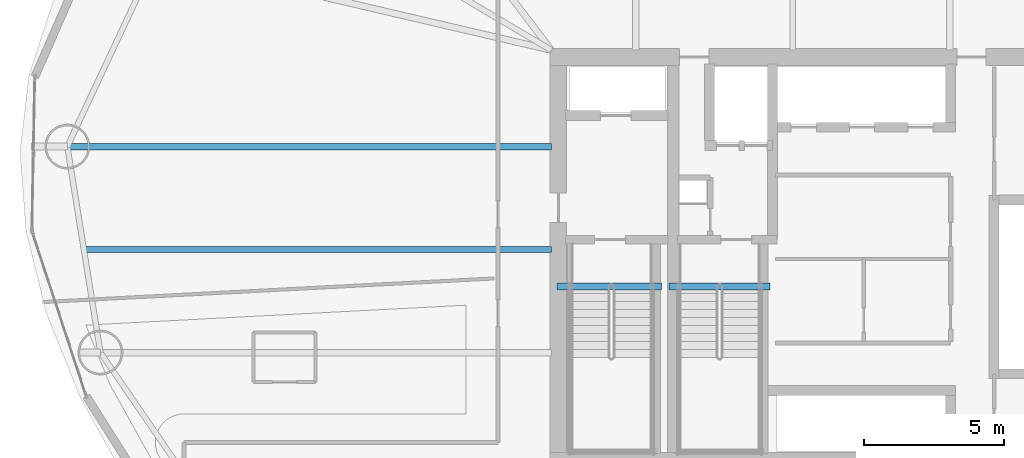
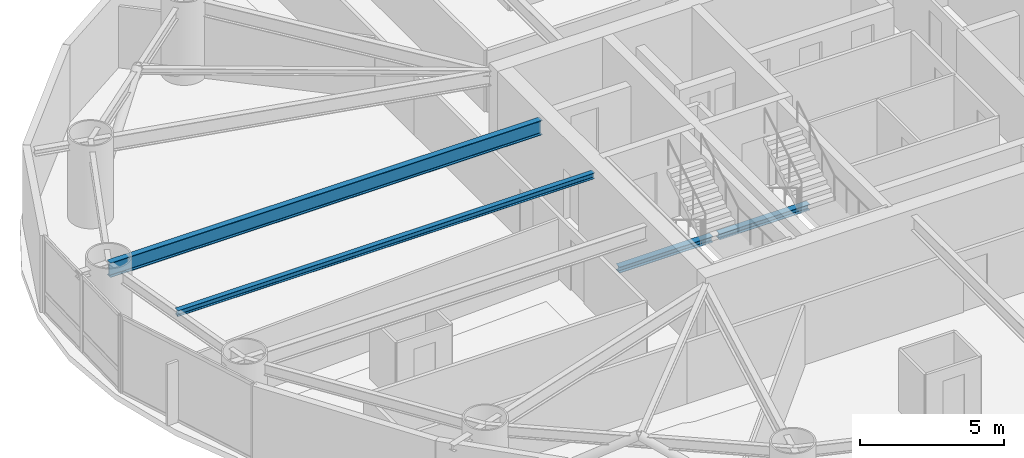
# One storey, part 7 of 24: 4 beams.
"""IFC4 building model written with IfcOpenShell, lengths in metres."""

from ifc_helpers import new_model, si_unit, direction, frame, origin, origin_2d, place, context, subcontext, project, spatial, i_section, extrude, material, material_profile, profile_set, type_object, element, save


model = new_model("IFC4")

# Units and contexts
model_context = context("Model", 3, precision=1e-05, world=origin(), true_north=direction((0.0, 1.0)))
body_context = subcontext(model_context, "Body", "Model", "MODEL_VIEW")
ifc_project = project(units=[si_unit("LENGTHUNIT", "METRE"), si_unit("AREAUNIT", "SQUARE_METRE"), si_unit("VOLUMEUNIT", "CUBIC_METRE"), si_unit("PLANEANGLEUNIT", "RADIAN"), si_unit("MASSUNIT", "GRAM", prefix="KILO")], contexts=[model_context])

# Site, building, storey
site_placement = place(None, origin())
site = spatial("IfcSite", under=ifc_project, at=site_placement, CompositionType="ELEMENT")
building_placement = place(site_placement, origin())
building = spatial("IfcBuilding", under=site, at=building_placement, Name="Bramvorn Convention Spire", CompositionType="ELEMENT")
storey_placement = place(building_placement, frame((0.0, 0.0, 83.39990234375)))
storey = spatial("IfcBuildingStorey", under=building, at=storey_placement, Name="L19", CompositionType="ELEMENT", Elevation=83.39990234375)

# Beams
ifc_material = material(Name="Steel CSA G40.21 Grade 350 (350W)", Category="steel")
ifc_material_profile_1 = material_profile(ifc_material, i_section(OverallWidth=0.201904296875, OverallDepth=0.2470703125, WebThickness=0.00732421875, FlangeThickness=0.010986328125, FilletRadius=0.011962890625, at=origin_2d()))
ifc_profile_set_1 = profile_set([ifc_material_profile_1], Name="Steel CSA G40.21 Grade 350 (350W) - W250X49")
beam_type_1 = type_object("IfcBeamType", Name="BM-W250X49", PredefinedType="JOIST", material=ifc_profile_set_1)
beam_1_placement = place(storey_placement, frame((26.75, 26.333984375, 3.126708984375), z_axis=(-1.0, 0.0, 0.0), x_axis=(0.0, -1.0, 0.0)))
element("IfcBeam", 1, at=beam_1_placement, inside=storey, type_object=beam_type_1, Name="L19 composite floor joist 09", PredefinedType="JOIST", context=body_context, shape_type="SweptSolid", body=[
    extrude(i_section(OverallWidth=0.201904296875, OverallDepth=0.2470703125, WebThickness=0.00732421875, FlangeThickness=0.010986328125, FilletRadius=0.011962890625, at=origin_2d()), origin(), (0.0, 0.0, 1.0), 16.67919921875),
])
ifc_material_profile_2 = material_profile(ifc_material, i_section(OverallWidth=0.25390625, OverallDepth=0.2529296875, WebThickness=0.008544921875, FlangeThickness=0.01416015625, FilletRadius=0.011962890625, at=origin_2d()))
ifc_profile_set_2 = profile_set([ifc_material_profile_2], Name="Steel CSA G40.21 Grade 350 (350W) - W250X73")
beam_type_2 = type_object("IfcBeamType", Name="BM-W250X73", PredefinedType="BEAM", material=ifc_profile_set_2)
beam_2_placement = place(storey_placement, frame((26.949951171875, 25.010009765625, -0.12646484375), z_axis=(1.0, 0.0, 0.0), x_axis=(0.0, 1.0, 0.0)))
element("IfcBeam", 2, at=beam_2_placement, inside=storey, type_object=beam_type_2, Name="L19 ST1 stair arrival header beam", PredefinedType="BEAM", context=body_context, shape_type="SweptSolid", body=[
    extrude(i_section(OverallWidth=0.25390625, OverallDepth=0.2529296875, WebThickness=0.008544921875, FlangeThickness=0.01416015625, FilletRadius=0.011962890625, at=origin_2d()), origin(), (0.0, 0.0, 1.0), 3.739990234375),
])
beam_3_placement = place(storey_placement, frame((30.949951171875, 25.010009765625, -0.12646484375), z_axis=(1.0, 0.0, 0.0), x_axis=(0.0, 1.0, 0.0)))
element("IfcBeam", 3, at=beam_3_placement, inside=storey, type_object=beam_type_2, Name="L19 ST3 stair arrival header beam", PredefinedType="BEAM", context=body_context, shape_type="SweptSolid", body=[
    extrude(i_section(OverallWidth=0.25390625, OverallDepth=0.2529296875, WebThickness=0.008544921875, FlangeThickness=0.01416015625, FilletRadius=0.011962890625, at=origin_2d()), origin(), (0.0, 0.0, 1.0), 3.610107421875),
])
ifc_material_profile_3 = material_profile(ifc_material, i_section(OverallWidth=0.22998046875, OverallDepth=0.616943359375, WebThickness=0.01318359375, FlangeThickness=0.022216796875, FilletRadius=0.02001953125, at=origin_2d()))
ifc_profile_set_3 = profile_set([ifc_material_profile_3], Name="Steel CSA G40.21 Grade 350 (350W) - W610X140")
beam_type_3 = type_object("IfcBeamType", Name="BM-W610X140", PredefinedType="BEAM", material=ifc_profile_set_3)
beam_4_placement = place(storey_placement, frame((26.75, 30.00830078125, 2.941650390625), z_axis=(-1.0, 0.0, 0.0), x_axis=(0.0, -1.0, 0.0)))
element("IfcBeam", 4, at=beam_4_placement, inside=storey, type_object=beam_type_3, Name="L19 radial floor girder MC09", PredefinedType="BEAM", context=body_context, shape_type="SweptSolid", body=[
    extrude(i_section(OverallWidth=0.22998046875, OverallDepth=0.616943359375, WebThickness=0.01318359375, FlangeThickness=0.022216796875, FilletRadius=0.02001953125, at=origin_2d()), origin(), (0.0, 0.0, 1.0), 17.269775390625),
])

save(model, "model.ifc")
